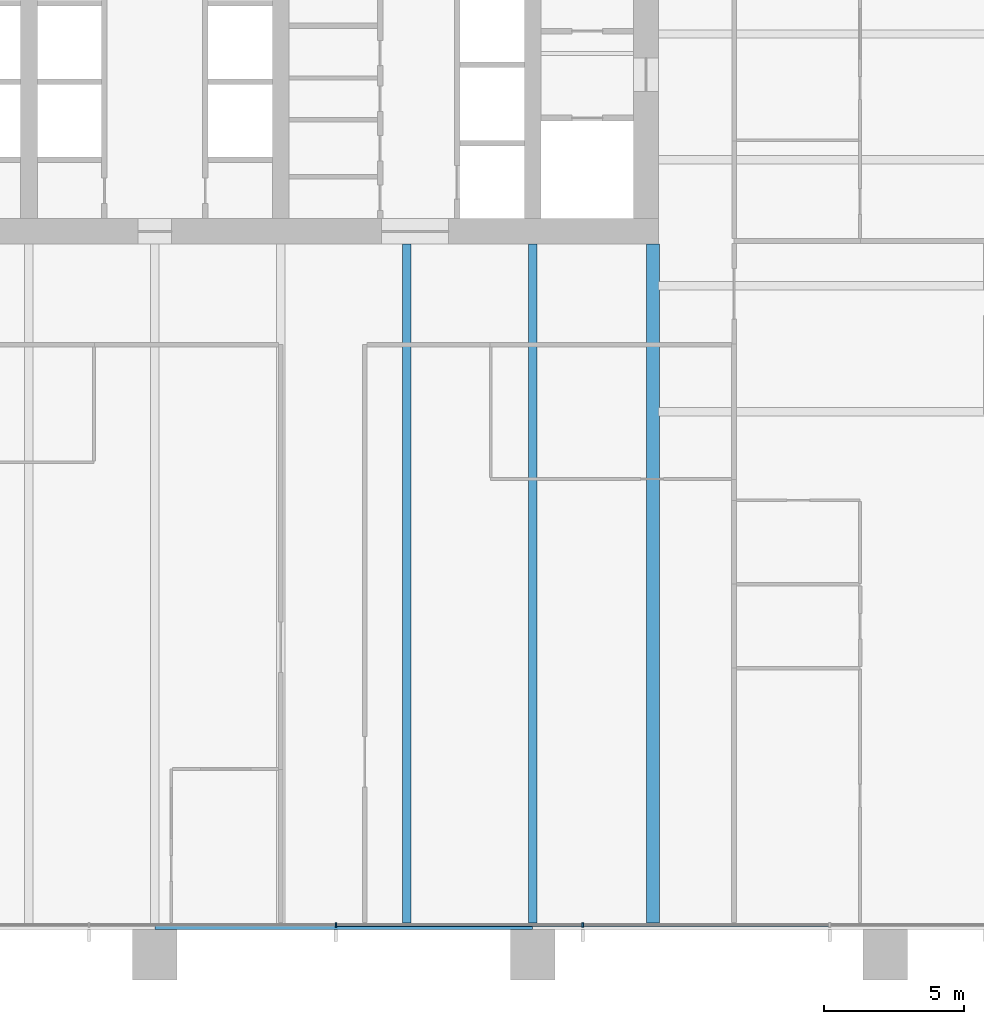
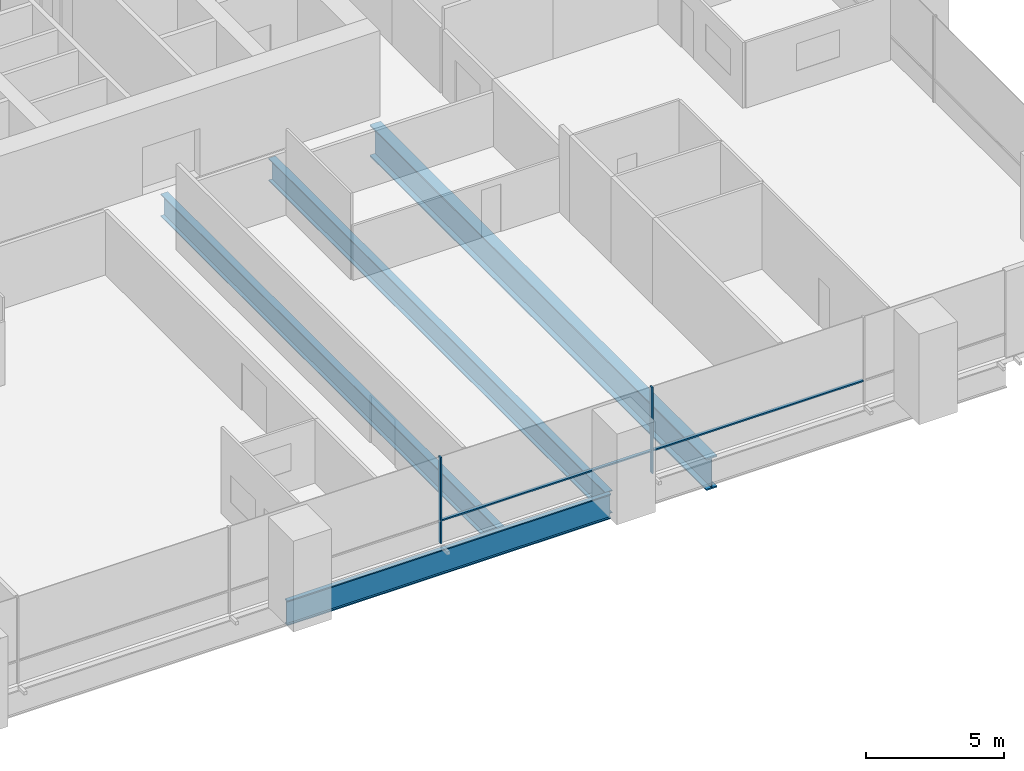
# One storey, part 5 of 17: 4 beams, 4 members, 1 element without a shape of its own.
"""IFC4 building model written with IfcOpenShell, lengths in metres."""

from ifc_helpers import new_model, si_unit, direction, frame, origin, origin_2d, place, context, subcontext, project, spatial, rectangle, i_section, extrude, material, material_profile, profile_set, type_object, element, aggregate, save


model = new_model("IFC4")

# Units and contexts
model_context = context("Model", 3, precision=1e-05, world=origin(), true_north=direction((0.0, 1.0)))
body_context = subcontext(model_context, "Body", "Model", "MODEL_VIEW")
ifc_project = project(units=[si_unit("LENGTHUNIT", "METRE"), si_unit("AREAUNIT", "SQUARE_METRE"), si_unit("VOLUMEUNIT", "CUBIC_METRE"), si_unit("PLANEANGLEUNIT", "RADIAN"), si_unit("MASSUNIT", "GRAM", prefix="KILO")], contexts=[model_context])

# Site, building, storey
site_placement = place(None, origin())
site = spatial("IfcSite", under=ifc_project, at=site_placement, CompositionType="ELEMENT")
building_placement = place(site_placement, origin())
building = spatial("IfcBuilding", under=site, at=building_placement, Name="Rattan Terrace Tower", CompositionType="ELEMENT")
storey_placement = place(building_placement, frame((0.0, 0.0, 95.699951171875)))
storey = spatial("IfcBuildingStorey", under=building, at=storey_placement, Name="L21", CompositionType="ELEMENT", Elevation=95.699951171875)

# Curtain wall, members
ifc_material_1 = material(Name="Aluminium and glass", Category="aluminium")
curtain_wall_type = type_object("IfcCurtainWallType", Name="Facade Unitised Curtain Wall", PredefinedType="NOTDEFINED", material=ifc_material_1)
curtain_wall_placement = place(storey_placement, origin())
curtain_wall = element("IfcCurtainWall", 1, at=curtain_wall_placement, inside=storey, type_object=curtain_wall_type, Name="Curtain wall L21-4", PredefinedType="NOTDEFINED")
ifc_material_2 = material(Name="Aluminium", Category="aluminium")
ifc_material_profile_1 = material_profile(ifc_material_2, rectangle(XDim=0.06005859375, YDim=0.159912109375, at=origin_2d()), Name="Aluminium 60x160")
ifc_profile_set_1 = profile_set([ifc_material_profile_1], Name="Aluminium")
member_type_1 = type_object("IfcMemberType", Name="Facade CW Mullion 60x160", PredefinedType="MULLION", material=ifc_profile_set_1)
member_1_placement = place(storey_placement, frame((6.468994140625, -31.830078125, 0.0), z_axis=(0.0, 0.0, 1.0), x_axis=(1.0, 0.0, 0.0)))
member_1 = element("IfcMember", 2, at=member_1_placement, type_object=member_type_1, Name="Mullion cwl-L21-004.4", PredefinedType="MULLION", context=body_context, shape_type="SweptSolid", body=[
    extrude(rectangle(XDim=0.06005859375, YDim=0.159912109375, at=origin_2d()), origin(), (0.0, 0.0, 1.0), 3.800048828125),
])
member_2_placement = place(storey_placement, frame((15.2919921875, -31.830078125, 0.0), z_axis=(0.0, 0.0, 1.0), x_axis=(1.0, 0.0, 0.0)))
member_2 = element("IfcMember", 3, at=member_2_placement, type_object=member_type_1, Name="Mullion cwl-L21-004.5", PredefinedType="MULLION", context=body_context, shape_type="SweptSolid", body=[
    extrude(rectangle(XDim=0.06005859375, YDim=0.159912109375, at=origin_2d()), origin(), (0.0, 0.0, 1.0), 3.800048828125),
])
ifc_material_3 = material(Name="Aluminium", Category="aluminium")
ifc_material_profile_2 = material_profile(ifc_material_3, rectangle(XDim=0.1201171875, YDim=0.06005859375, at=origin_2d()), Name="Aluminium 120x60")
ifc_profile_set_2 = profile_set([ifc_material_profile_2], Name="Aluminium")
member_type_2 = type_object("IfcMemberType", Name="Facade CW Transom 120x60", PredefinedType="USERDEFINED", material=ifc_profile_set_2)
member_3_placement = place(storey_placement, frame((6.4990234375, -31.830078125, 1.0), z_axis=(1.0, 0.0, 0.0), x_axis=(0.0, 1.0, 0.0)))
member_3 = element("IfcMember", 4, at=member_3_placement, type_object=member_type_2, Name="Transom cwl-L21-004.4", ObjectType="TRANSOM", PredefinedType="USERDEFINED", context=body_context, shape_type="SweptSolid", body=[
    extrude(rectangle(XDim=0.1201171875, YDim=0.06005859375, at=origin_2d()), origin(), (0.0, 0.0, 1.0), 8.762939453125),
])
member_4_placement = place(storey_placement, frame((15.322021484375, -31.830078125, 1.0), z_axis=(1.0, 0.0, 0.0), x_axis=(0.0, 1.0, 0.0)))
member_4 = element("IfcMember", 5, at=member_4_placement, type_object=member_type_2, Name="Transom cwl-L21-004.5", ObjectType="TRANSOM", PredefinedType="USERDEFINED", context=body_context, shape_type="SweptSolid", body=[
    extrude(rectangle(XDim=0.1201171875, YDim=0.06005859375, at=origin_2d()), origin(), (0.0, 0.0, 1.0), 8.762939453125),
])
aggregate(curtain_wall, [member_1, member_2, member_3, member_4])

# Beams
ifc_material_4 = material(Name="Steel S460", Category="steel")
ifc_material_profile_3 = material_profile(ifc_material_4, i_section(OverallWidth=0.449951171875, OverallDepth=1.39990234375, WebThickness=0.02197265625, FlangeThickness=0.054931640625, at=origin_2d()), Name="PG 1400x450-22-55")
ifc_profile_set_3 = profile_set([ifc_material_profile_3], Name="Steel S460")
beam_type_1 = type_object("IfcBeamType", Name="Frame core girder PG 1400x450-22-55", PredefinedType="BEAM", material=ifc_profile_set_3)
beam_1_placement = place(storey_placement, frame((17.800048828125, -31.820068359375, -0.89990234375), z_axis=(0.0, 1.0, 0.0), x_axis=(-1.0, 0.0, 0.0)))
element("IfcBeam", 6, at=beam_1_placement, inside=storey, type_object=beam_type_1, Name="gdr-L21-009", PredefinedType="BEAM", context=body_context, shape_type="SweptSolid", body=[
    extrude(i_section(OverallWidth=0.449951171875, OverallDepth=1.39990234375, WebThickness=0.02197265625, FlangeThickness=0.054931640625, at=origin_2d()), origin(), (0.0, 0.0, 1.0), 24.320068359375),
])
ifc_material_5 = material(Name="Steel S460", Category="steel")
ifc_material_profile_4 = material_profile(ifc_material_5, i_section(OverallWidth=0.179931640625, OverallDepth=1.10009765625, WebThickness=0.01611328125, FlangeThickness=0.050048828125, at=origin_2d()), Name="PG 1100x180-16-50")
ifc_profile_set_4 = profile_set([ifc_material_profile_4], Name="Steel S460")
beam_type_2 = type_object("IfcBeamType", Name="Frame edge girder PG 1100x180-16-50", PredefinedType="SPANDREL", material=ifc_profile_set_4)
beam_2_placement = place(storey_placement, frame((0.0, -31.909912109375, -0.75), z_axis=(1.0, 0.0, 0.0), x_axis=(0.0, 1.0, 0.0)))
element("IfcBeam", 7, at=beam_2_placement, inside=storey, type_object=beam_type_2, Name="gdr-L21-002", PredefinedType="SPANDREL", context=body_context, shape_type="SweptSolid", body=[
    extrude(i_section(OverallWidth=0.179931640625, OverallDepth=1.10009765625, WebThickness=0.01611328125, FlangeThickness=0.050048828125, at=origin_2d()), origin(), (0.0, 0.0, 1.0), 13.5),
])
ifc_material_6 = material(Name="Steel S460", Category="steel")
ifc_material_profile_5 = material_profile(ifc_material_6, i_section(OverallWidth=0.300048828125, OverallDepth=1.0, WebThickness=0.013916015625, FlangeThickness=0.0400390625, at=origin_2d()), Name="PG 1000x300-14-40")
ifc_profile_set_5 = profile_set([ifc_material_profile_5], Name="Steel S460")
beam_type_3 = type_object("IfcBeamType", Name="Frame floor beam PG 1000x300-14-40", PredefinedType="JOIST", material=ifc_profile_set_5)
for number, where, z_axis, x_axis, name in (
    (8, (9.0, -31.820068359375, -0.699951171875), (0.0, 1.0, 0.0), (-1.0, 0.0, 0.0), "bm-L21-008"),
    (9, (13.5, -31.820068359375, -0.699951171875), (0.0, 1.0, 0.0), (-1.0, 0.0, 0.0), "bm-L21-009"),
):
    element("IfcBeam", number, at=place(storey_placement, frame(where, z_axis=z_axis, x_axis=x_axis)), inside=storey, type_object=beam_type_3, Name=name, PredefinedType="JOIST", context=body_context, shape_type="SweptSolid", body=[
        extrude(i_section(OverallWidth=0.300048828125, OverallDepth=1.0, WebThickness=0.013916015625, FlangeThickness=0.0400390625, at=origin_2d()), origin(), (0.0, 0.0, 1.0), 24.320068359375),
    ])

save(model, "model.ifc")
